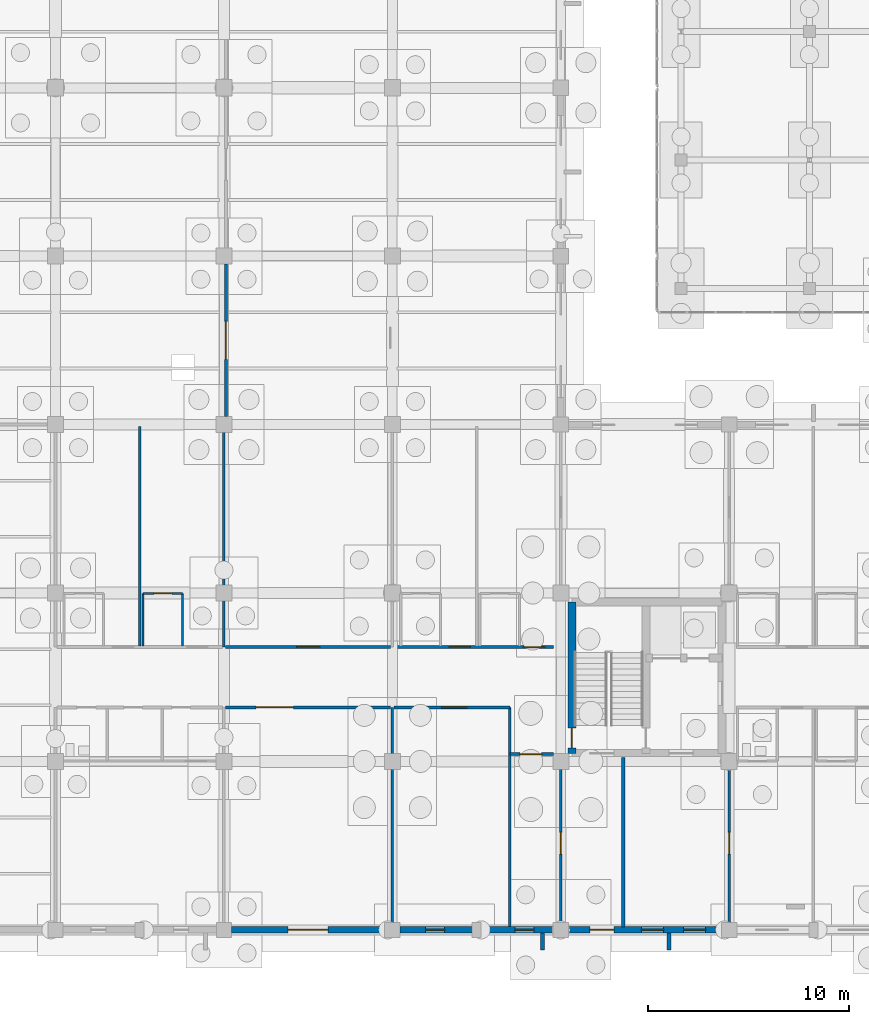
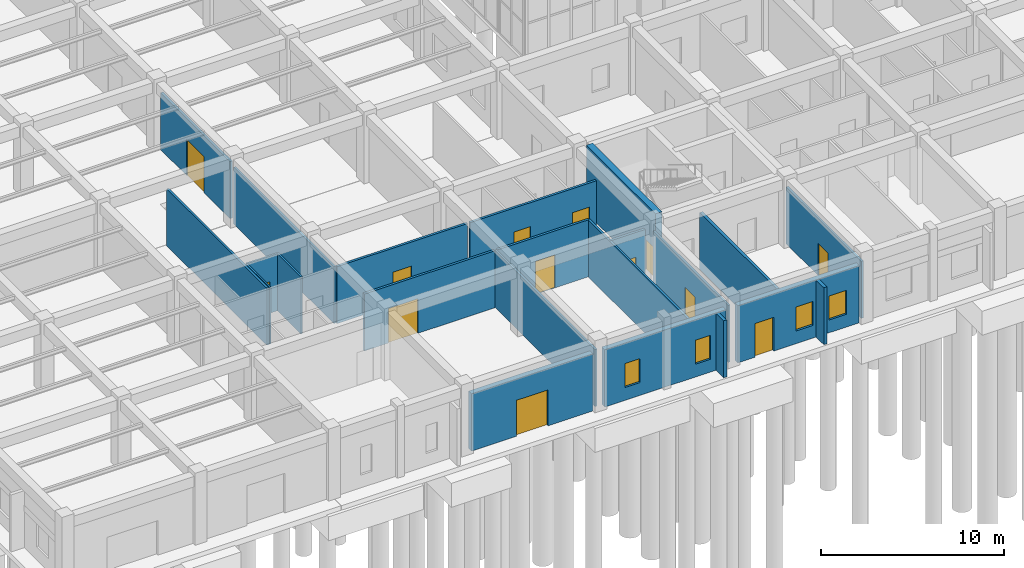
# One storey, part 150 of 192: 22 walls, 13 doors, 4 windows, 17 openings.
"""IFC4 building model written with IfcOpenShell, lengths in metres."""

from ifc_helpers import new_model, si_unit, direction, frame, frame_2d, origin, place, context, subcontext, project, spatial, rectangle, extrude, material, layer, layer_set, type_object, element, fill, save


model = new_model("IFC4")

# Units and contexts
model_context = context("Model", 3, precision=1e-05, world=origin(), true_north=direction((0.0, 1.0)))
body_context = subcontext(model_context, "Body", "Model", "MODEL_VIEW")
ifc_project = project(units=[si_unit("LENGTHUNIT", "METRE"), si_unit("AREAUNIT", "SQUARE_METRE"), si_unit("VOLUMEUNIT", "CUBIC_METRE"), si_unit("PLANEANGLEUNIT", "RADIAN"), si_unit("MASSUNIT", "GRAM", prefix="KILO")], contexts=[model_context])

# Site, building, storey
site_placement = place(None, origin())
site = spatial("IfcSite", under=ifc_project, at=site_placement, CompositionType="ELEMENT")
building_placement = place(site_placement, origin())
building = spatial("IfcBuilding", under=site, at=building_placement, Name="Trelvath General Hospital", CompositionType="ELEMENT")
storey_placement = place(building_placement, origin())
storey = spatial("IfcBuildingStorey", under=building, at=storey_placement, Name="L00", CompositionType="ELEMENT", Elevation=0.0)

# Walls
ifc_material_1 = material(Name="Precast concrete C40/50", Category="concrete")
ifc_layer_1 = layer(ifc_material_1, 0.199951171875)
ifc_layer_set_1 = layer_set([ifc_layer_1], Name="Precast concrete C40/50")
wall_type_1 = type_object("IfcWallType", Name="BriseSoleilRib 200", PredefinedType="ELEMENTEDWALL", material=ifc_layer_set_1)
for number, where, z_axis, x_axis, name in (
    (1, (41.089599609375, -0.14990234375, 0.0), (0.0, 0.0, 1.0), (0.0, -1.0, 0.0), "Precast Concrete Brise-Soleil Rib Fin L00-14"),
    (2, (47.405029296875, -0.14990234375, 0.0), (0.0, 0.0, 1.0), (0.0, -1.0, 0.0), "Precast Concrete Brise-Soleil Rib Fin L00-22"),
):
    element("IfcWall", number, at=place(storey_placement, frame(where, z_axis=z_axis, x_axis=x_axis)), inside=storey, type_object=wall_type_1, Name=name, PredefinedType="ELEMENTEDWALL", context=body_context, shape_type="SweptSolid", body=[
        extrude(rectangle(XDim=0.85009765625, YDim=0.199951171875, at=frame_2d((0.425048828125, 0.0))), origin(), (0.0, 0.0, 1.0), 3.800048828125),
    ])

# Wall, opening, door
ifc_material_2 = material(Name="Gypsum acoustic steel-stud partition", Category="steel")
ifc_layer_2 = layer(ifc_material_2, 0.14990234375)
ifc_layer_set_2 = layer_set([ifc_layer_2], Name="Gypsum acoustic steel-stud partition")
wall_type_2 = type_object("IfcWallType", Name="ClinicalPartition 150", PredefinedType="PARTITIONING", material=ifc_layer_set_2)
wall_1_placement = place(storey_placement, frame((25.280029296875, 11.10009765625, 0.0), z_axis=(0.0, 0.0, 1.0), x_axis=(1.0, 0.0, 0.0)))
wall_1 = element("IfcWall", 3, at=wall_1_placement, inside=storey, type_object=wall_type_2, Name="Corridor Partition L00-25", PredefinedType="PARTITIONING", context=body_context, shape_type="SweptSolid", body=[
    extrude(rectangle(XDim=8.239990234375, YDim=0.14990234375, at=frame_2d((4.1201171875, 0.0))), origin(), (0.0, 0.0, 1.0), 3.800048828125),
])
opening_1_placement = place(wall_1_placement, frame((1.530029296875, 0.0, 0.0)))
opening_1 = element("IfcOpeningElement", 4, at=opening_1_placement, cuts=wall_1, Name="Opening D-0-0293", PredefinedType="OPENING", context=body_context, shape_type="SweptSolid", body=[
    extrude(rectangle(XDim=1.85009765625, YDim=2.300048828125, at=frame_2d((0.925048828125, 1.14990234375))), frame((0.0, 0.0849609375, 0.0), z_axis=(0.0, -1.0, 0.0), x_axis=(1.0, 0.0, 0.0)), (0.0, 0.0, 1.0), 0.169921875),
])
ifc_material_3 = material(Name="Fire-rated steel cross-corridor pair", Category="steel")
door_type_1 = type_object("IfcDoorType", Name="Door SmokeCross 1850x2300", OperationType="DOUBLE_SWING_LEFT", PredefinedType="DOOR", material=ifc_material_3)
door_1_placement = place(opening_1_placement, origin())
door_1 = element("IfcDoor", 5, at=door_1_placement, inside=storey, type_object=door_type_1, Name="Waiting Lounge Door L00-293", OperationType="DOUBLE_SWING_LEFT", OverallHeight=2.300048828125, OverallWidth=1.85009765625, PredefinedType="DOOR", context=body_context, shape_type="SweptSolid", body=[
    extrude(rectangle(XDim=1.85009765625, YDim=2.300048828125, at=frame_2d((0.925048828125, 1.14990234375))), frame((0.0, 0.02490234375, 0.0), z_axis=(0.0, -1.0, 0.0), x_axis=(1.0, 0.0, 0.0)), (0.0, 0.0, 1.0), 0.050048828125),
])
fill(opening_1, door_1)

wall_2_placement = place(storey_placement, frame((33.52001953125, 14.10009765625, 0.0), z_axis=(0.0, 0.0, 1.0), x_axis=(-1.0, 0.0, 0.0)))
wall_2 = element("IfcWall", 6, at=wall_2_placement, inside=storey, type_object=wall_type_2, Name="Corridor Partition N L00-26", PredefinedType="PARTITIONING", context=body_context, shape_type="SweptSolid", body=[
    extrude(rectangle(XDim=8.239990234375, YDim=0.14990234375, at=frame_2d((4.1201171875, 0.0))), origin(), (0.0, 0.0, 1.0), 3.800048828125),
])
opening_2_placement = place(wall_2_placement, frame((3.544921875, 0.0, 0.0)))
opening_2 = element("IfcOpeningElement", 7, at=opening_2_placement, cuts=wall_2, Name="Opening D-0-0294", PredefinedType="OPENING", context=body_context, shape_type="SweptSolid", body=[
    extrude(rectangle(XDim=1.14990234375, YDim=2.199951171875, at=frame_2d((0.574951171875, 1.10009765625))), frame((0.0, 0.0849609375, 0.0), z_axis=(0.0, -1.0, 0.0), x_axis=(1.0, 0.0, 0.0)), (0.0, 0.0, 1.0), 0.169921875),
])
ifc_material_4 = material(Name="Phenolic cleanroom door")
door_type_2 = type_object("IfcDoorType", Name="Door Pharmacy 1150x2200", OperationType="NOTDEFINED", PredefinedType="DOOR", material=ifc_material_4)
door_2_placement = place(opening_2_placement, origin())
door_2 = element("IfcDoor", 8, at=door_2_placement, inside=storey, type_object=door_type_2, Name="Clinical Room Door L00-294", OperationType="SINGLE_SWING_RIGHT", OverallHeight=2.199951171875, OverallWidth=1.14990234375, PredefinedType="DOOR", context=body_context, shape_type="SweptSolid", body=[
    extrude(rectangle(XDim=1.14990234375, YDim=2.199951171875, at=frame_2d((0.574951171875, 1.10009765625))), frame((0.0, 0.02490234375, 0.0), z_axis=(0.0, -1.0, 0.0), x_axis=(1.0, 0.0, 0.0)), (0.0, 0.0, 1.0), 0.050048828125),
])
fill(opening_2, door_2)

wall_3_placement = place(storey_placement, frame((33.679931640625, 11.10009765625, 0.0), z_axis=(0.0, 0.0, 1.0), x_axis=(1.0, 0.0, 0.0)))
wall_3 = element("IfcWall", 9, at=wall_3_placement, inside=storey, type_object=wall_type_2, Name="Nurse Station Partition L00-29", PredefinedType="PARTITIONING", context=body_context, shape_type="SweptSolid", body=[
    extrude(rectangle(XDim=5.780029296875, YDim=0.14990234375, at=frame_2d((2.89013671875, 0.0))), origin(), (0.0, 0.0, 1.0), 3.800048828125),
])
opening_3_placement = place(wall_3_placement, frame((2.3798828125, 0.0, 0.0)))
opening_3 = element("IfcOpeningElement", 10, at=opening_3_placement, cuts=wall_3, Name="Opening D-0-0295", PredefinedType="OPENING", context=body_context, shape_type="SweptSolid", body=[
    extrude(rectangle(XDim=1.25, YDim=2.199951171875, at=frame_2d((0.625, 1.10009765625))), frame((0.0, 0.0849609375, 0.0), z_axis=(0.0, -1.0, 0.0), x_axis=(1.0, 0.0, 0.0)), (0.0, 0.0, 1.0), 0.169921875),
])
ifc_material_5 = material(Name="Acoustic hospital timber leaf", Category="wood")
door_type_3 = type_object("IfcDoorType", Name="Door Treatment 1250x2200", OperationType="NOTDEFINED", PredefinedType="DOOR", material=ifc_material_5)
door_3_placement = place(opening_3_placement, origin())
door_3 = element("IfcDoor", 11, at=door_3_placement, inside=storey, type_object=door_type_3, Name="Nurse Station Door L00-295", OperationType="SINGLE_SWING_LEFT", OverallHeight=2.199951171875, OverallWidth=1.25, PredefinedType="DOOR", context=body_context, shape_type="SweptSolid", body=[
    extrude(rectangle(XDim=1.25, YDim=2.199951171875, at=frame_2d((0.625, 1.10009765625))), frame((0.0, 0.02490234375, 0.0), z_axis=(0.0, -1.0, 0.0), x_axis=(1.0, 0.0, 0.0)), (0.0, 0.0, 1.0), 0.050048828125),
])
fill(opening_3, door_3)

wall_4_placement = place(storey_placement, frame((39.4599609375, 8.760009765625, 0.0), z_axis=(0.0, 0.0, 1.0), x_axis=(1.0, 0.0, 0.0)))
wall_4 = element("IfcWall", 12, at=wall_4_placement, inside=storey, type_object=wall_type_2, Name="Clean Utility Partition L00-31", PredefinedType="PARTITIONING", context=body_context, shape_type="SweptSolid", body=[
    extrude(rectangle(XDim=2.179931640625, YDim=0.14990234375, at=frame_2d((1.08984375, 0.0))), origin(), (0.0, 0.0, 1.0), 3.800048828125),
])
opening_4_placement = place(wall_4_placement, frame((0.5, 0.0, 0.0)))
opening_4 = element("IfcOpeningElement", 13, at=opening_4_placement, cuts=wall_4, Name="Opening D-0-0296", PredefinedType="OPENING", context=body_context, shape_type="SweptSolid", body=[
    extrude(rectangle(XDim=1.080078125, YDim=2.14990234375, at=frame_2d((0.5400390625, 1.074951171875))), frame((0.0, 0.0849609375, 0.0), z_axis=(0.0, -1.0, 0.0), x_axis=(1.0, 0.0, 0.0)), (0.0, 0.0, 1.0), 0.169921875),
])
ifc_material_6 = material(Name="Acoustic hospital timber leaf", Category="wood")
door_type_4 = type_object("IfcDoorType", Name="Door CleanSupply 1080x2150", OperationType="NOTDEFINED", PredefinedType="DOOR", material=ifc_material_6)
door_4_placement = place(opening_4_placement, origin())
door_4 = element("IfcDoor", 14, at=door_4_placement, inside=storey, type_object=door_type_4, Name="Clean Utility Door L00-296", OperationType="SINGLE_SWING_RIGHT", OverallHeight=2.14990234375, OverallWidth=1.080078125, PredefinedType="DOOR", context=body_context, shape_type="SweptSolid", body=[
    extrude(rectangle(XDim=1.080078125, YDim=2.14990234375, at=frame_2d((0.5400390625, 1.074951171875))), frame((0.0, 0.02490234375, 0.0), z_axis=(0.0, -1.0, 0.0), x_axis=(1.0, 0.0, 0.0)), (0.0, 0.0, 1.0), 0.050048828125),
])
fill(opening_4, door_4)

# Wall, openings, doors
wall_5_placement = place(storey_placement, frame((41.639892578125, 14.10009765625, 0.0), z_axis=(0.0, 0.0, 1.0), x_axis=(-1.0, 0.0, 0.0)))
wall_5 = element("IfcWall", 15, at=wall_5_placement, inside=storey, type_object=wall_type_2, Name="Corridor Partition N L00-32", PredefinedType="PARTITIONING", context=body_context, shape_type="SweptSolid", body=[
    extrude(rectangle(XDim=7.9599609375, YDim=0.14990234375, at=frame_2d((3.97998046875, 0.0))), origin(), (0.0, 0.0, 1.0), 3.800048828125),
])
opening_5_placement = place(wall_5_placement, frame((0.449951171875, 0.0, 0.0)))
opening_5 = element("IfcOpeningElement", 16, at=opening_5_placement, cuts=wall_5, Name="Opening D-0-0297", PredefinedType="OPENING", context=body_context, shape_type="SweptSolid", body=[
    extrude(rectangle(XDim=1.050048828125, YDim=2.199951171875, at=frame_2d((0.52490234375, 1.10009765625))), frame((0.0, 0.0849609375, 0.0), z_axis=(0.0, -1.0, 0.0), x_axis=(1.0, 0.0, 0.0)), (0.0, 0.0, 1.0), 0.169921875),
])
opening_6_placement = place(wall_5_placement, frame((4.14990234375, 0.0, 0.0)))
opening_6 = element("IfcOpeningElement", 17, at=opening_6_placement, cuts=wall_5, Name="Opening D-0-0298", PredefinedType="OPENING", context=body_context, shape_type="SweptSolid", body=[
    extrude(rectangle(XDim=1.050048828125, YDim=2.199951171875, at=frame_2d((0.52490234375, 1.10009765625))), frame((0.0, 0.0849609375, 0.0), z_axis=(0.0, -1.0, 0.0), x_axis=(1.0, 0.0, 0.0)), (0.0, 0.0, 1.0), 0.169921875),
])
ifc_material_7 = material(Name="Acoustic hospital timber leaf", Category="wood")
door_type_5 = type_object("IfcDoorType", Name="Door Consult 1050x2200", OperationType="NOTDEFINED", PredefinedType="DOOR", material=ifc_material_7)
door_5_placement = place(opening_5_placement, origin())
door_5 = element("IfcDoor", 18, at=door_5_placement, inside=storey, type_object=door_type_5, Name="Patient Room Door N L00-297", OperationType="SINGLE_SWING_LEFT", OverallHeight=2.199951171875, OverallWidth=1.050048828125, PredefinedType="DOOR", context=body_context, shape_type="SweptSolid", body=[
    extrude(rectangle(XDim=1.050048828125, YDim=2.199951171875, at=frame_2d((0.52490234375, 1.10009765625))), frame((0.0, 0.02490234375, 0.0), z_axis=(0.0, -1.0, 0.0), x_axis=(1.0, 0.0, 0.0)), (0.0, 0.0, 1.0), 0.050048828125),
])
fill(opening_5, door_5)
door_6_placement = place(opening_6_placement, origin())
door_6 = element("IfcDoor", 19, at=door_6_placement, inside=storey, type_object=door_type_5, Name="Patient Room Door N L00-298", OperationType="SINGLE_SWING_LEFT", OverallHeight=2.199951171875, OverallWidth=1.050048828125, PredefinedType="DOOR", context=body_context, shape_type="SweptSolid", body=[
    extrude(rectangle(XDim=1.050048828125, YDim=2.199951171875, at=frame_2d((0.52490234375, 1.10009765625))), frame((0.0, 0.02490234375, 0.0), z_axis=(0.0, -1.0, 0.0), x_axis=(1.0, 0.0, 0.0)), (0.0, 0.0, 1.0), 0.050048828125),
])
fill(opening_6, door_6)

# Wall, opening, door
wall_6_placement = place(storey_placement, frame((25.300048828125, 25.60009765625, 0.0), z_axis=(0.0, 0.0, 1.0), x_axis=(0.0, 1.0, 0.0)))
wall_6 = element("IfcWall", 20, at=wall_6_placement, inside=storey, type_object=wall_type_2, Name="West Outpatient Hall Partition L00-320", PredefinedType="PARTITIONING", context=body_context, shape_type="SweptSolid", body=[
    extrude(rectangle(XDim=7.599853515625, YDim=0.14990234375, at=frame_2d((3.7998046875, 0.0))), origin(), (0.0, 0.0, 1.0), 3.800048828125),
])
opening_7_placement = place(wall_6_placement, frame((2.85009765625, 0.0, 0.0)))
opening_7 = element("IfcOpeningElement", 21, at=opening_7_placement, cuts=wall_6, Name="Opening D-0-0439", PredefinedType="OPENING", context=body_context, shape_type="SweptSolid", body=[
    extrude(rectangle(XDim=1.89990234375, YDim=2.39990234375, at=frame_2d((0.949951171875, 1.199951171875))), frame((0.0, 0.0849609375, 0.0), z_axis=(0.0, -1.0, 0.0), x_axis=(1.0, 0.0, 0.0)), (0.0, 0.0, 1.0), 0.169921875),
])
ifc_material_8 = material(Name="Thermally broken glazed aluminium pair", Category="aluminium")
door_type_6 = type_object("IfcDoorType", Name="Door BridgeEntry 1900x2400", OperationType="DOUBLE_SWING_LEFT", PredefinedType="DOOR", material=ifc_material_8)
door_7_placement = place(opening_7_placement, origin())
door_7 = element("IfcDoor", 22, at=door_7_placement, inside=storey, type_object=door_type_6, Name="West Outpatient Hall Door L00-439", OperationType="DOUBLE_SWING_LEFT", OverallHeight=2.39990234375, OverallWidth=1.89990234375, PredefinedType="DOOR", context=body_context, shape_type="SweptSolid", body=[
    extrude(rectangle(XDim=1.89990234375, YDim=2.39990234375, at=frame_2d((0.949951171875, 1.199951171875))), frame((0.0, 0.02490234375, 0.0), z_axis=(0.0, -1.0, 0.0), x_axis=(1.0, 0.0, 0.0)), (0.0, 0.0, 1.0), 0.050048828125),
])
fill(opening_7, door_7)

ifc_material_9 = material(Name="Concrete C40/50", Category="concrete")
ifc_layer_3 = layer(ifc_material_9, 0.39990234375)
ifc_layer_set_3 = layer_set([ifc_layer_3], Name="Concrete C40/50")
wall_type_3 = type_object("IfcWallType", Name="CoreShearWall 400", PredefinedType="SHEAR", material=ifc_layer_set_3)
wall_7_placement = place(storey_placement, frame((42.550048828125, 8.800048828125, 0.0), z_axis=(0.0, 0.0, 1.0), x_axis=(0.0, 1.0, 0.0)))
wall_7 = element("IfcWall", 23, at=wall_7_placement, inside=storey, type_object=wall_type_3, Name="Core Shear Wall C4 W L00", PredefinedType="SHEAR", context=body_context, shape_type="SweptSolid", body=[
    extrude(rectangle(XDim=7.550048828125, YDim=0.39990234375, at=frame_2d((3.77490234375, 0.0))), origin(), (0.0, 0.0, 1.0), 4.52001953125),
])
opening_8_placement = place(wall_7_placement, frame((0.280029296875, 0.0, 0.0)))
opening_8 = element("IfcOpeningElement", 24, at=opening_8_placement, cuts=wall_7, Name="Opening FD-SW40", PredefinedType="OPENING", context=body_context, shape_type="SweptSolid", body=[
    extrude(rectangle(XDim=1.0, YDim=2.14990234375, at=frame_2d((0.5, 1.074951171875))), frame((0.0, 0.2099609375, 0.0), z_axis=(0.0, -1.0, 0.0), x_axis=(1.0, 0.0, 0.0)), (0.0, 0.0, 1.0), 0.419921875),
])
ifc_material_10 = material(Name="Fire-rated steel door", Category="steel")
door_type_7 = type_object("IfcDoorType", Name="Door FireStair 1100x2150", OperationType="NOTDEFINED", PredefinedType="DOOR", material=ifc_material_10)
door_8_placement = place(opening_8_placement, origin())
door_8 = element("IfcDoor", 25, at=door_8_placement, inside=storey, type_object=door_type_7, Name="West Corridor Stair Door ST4 L00", OperationType="SINGLE_SWING_RIGHT", OverallHeight=2.14990234375, OverallWidth=1.0, PredefinedType="DOOR", context=body_context, shape_type="SweptSolid", body=[
    extrude(rectangle(XDim=1.0, YDim=2.14990234375, at=frame_2d((0.5, 1.074951171875))), frame((0.0, 0.02490234375, 0.0), z_axis=(0.0, -1.0, 0.0), x_axis=(1.0, 0.0, 0.0)), (0.0, 0.0, 1.0), 0.050048828125),
])
fill(opening_8, door_8)

# Walls
ifc_material_11 = material(Name="Moisture-resistant tile partition")
ifc_layer_4 = layer(ifc_material_11, 0.110107421875)
ifc_layer_set_4 = layer_set([ifc_layer_4], Name="Moisture-resistant tile partition")
wall_type_4 = type_object("IfcWallType", Name="EnSuiteWetWall 110", PredefinedType="PARTITIONING", material=ifc_layer_set_4)
for number, where, z_axis, x_axis, name in (
    (26, (21.159912109375, 14.169921875, 0.0), (0.0, 0.0, 1.0), (0.0, 1.0, 0.0), "En-Suite W Wall N L00-20"),
    (27, (23.139892578125, 14.169921875, 0.0), (0.0, 0.0, 1.0), (0.0, 1.0, 0.0), "En-Suite E Wall N L00-21"),
):
    element("IfcWall", number, at=place(storey_placement, frame(where, z_axis=z_axis, x_axis=x_axis)), inside=storey, type_object=wall_type_4, Name=name, PredefinedType="PARTITIONING", context=body_context, shape_type="SweptSolid", body=[
        extrude(rectangle(XDim=2.610107421875, YDim=0.110107421875, at=frame_2d((1.30517578125, 0.0))), origin(), (0.0, 0.0, 1.0), 3.800048828125),
    ])

# Wall, opening, door
wall_8_placement = place(storey_placement, frame((21.159912109375, 16.780029296875, 0.0), z_axis=(0.0, 0.0, 1.0), x_axis=(1.0, 0.0, 0.0)))
wall_8 = element("IfcWall", 28, at=wall_8_placement, inside=storey, type_object=wall_type_4, Name="En-Suite Bathroom N Partition L00-22", PredefinedType="PARTITIONING", context=body_context, shape_type="SweptSolid", body=[
    extrude(rectangle(XDim=1.97998046875, YDim=0.110107421875, at=frame_2d((0.989990234375, 0.0))), origin(), (0.0, 0.0, 1.0), 3.800048828125),
])
opening_9_placement = place(wall_8_placement, frame((0.5400390625, 0.0, 0.0)))
opening_9 = element("IfcOpeningElement", 29, at=opening_9_placement, cuts=wall_8, Name="Opening D-0-0292", PredefinedType="OPENING", context=body_context, shape_type="SweptSolid", body=[
    extrude(rectangle(XDim=0.89990234375, YDim=2.10009765625, at=frame_2d((0.449951171875, 1.050048828125))), frame((0.0, 0.06494140625, 0.0), z_axis=(0.0, -1.0, 0.0), x_axis=(1.0, 0.0, 0.0)), (0.0, 0.0, 1.0), 0.130126953125),
])
ifc_material_12 = material(Name="Moisture-sealed timber leaf", Category="wood")
door_type_8 = type_object("IfcDoorType", Name="Door EnSuite 900x2100", OperationType="NOTDEFINED", PredefinedType="DOOR", material=ifc_material_12)
door_9_placement = place(opening_9_placement, origin())
door_9 = element("IfcDoor", 30, at=door_9_placement, inside=storey, type_object=door_type_8, Name="En-Suite Bathroom N Door L00-292", OperationType="SINGLE_SWING_LEFT", OverallHeight=2.10009765625, OverallWidth=0.89990234375, PredefinedType="DOOR", context=body_context, shape_type="SweptSolid", body=[
    extrude(rectangle(XDim=0.89990234375, YDim=2.10009765625, at=frame_2d((0.449951171875, 1.050048828125))), frame((0.0, 0.02490234375, 0.0), z_axis=(0.0, -1.0, 0.0), x_axis=(1.0, 0.0, 0.0)), (0.0, 0.0, 1.0), 0.050048828125),
])
fill(opening_9, door_9)

ifc_material_13 = material(Name="Concrete C35/45", Category="concrete")
ifc_layer_5 = layer(ifc_material_13, 0.320068359375)
ifc_layer_set_5 = layer_set([ifc_layer_5], Name="Concrete C35/45")
wall_type_5 = type_object("IfcWallType", Name="ExtThermalWall 320", PredefinedType="SOLIDWALL", material=ifc_layer_set_5)
wall_9_placement = place(storey_placement, frame((33.22509765625, 0.0, 0.0), z_axis=(0.0, 0.0, 1.0), x_axis=(-1.0, 0.0, 0.0)))
wall_9 = element("IfcWall", 31, at=wall_9_placement, inside=storey, type_object=wall_type_5, Name="Exterior Concrete Wall L00-21", PredefinedType="SOLIDWALL", context=body_context, shape_type="SweptSolid", body=[
    extrude(rectangle(XDim=7.650146484375, YDim=0.320068359375, at=frame_2d((3.8251953125, 0.0))), origin(), (0.0, 0.0, 1.0), 3.820068359375),
])
opening_10_placement = place(wall_9_placement, frame((2.824951171875, 0.0, 0.0)))
opening_10 = element("IfcOpeningElement", 32, at=opening_10_placement, cuts=wall_9, Name="Opening E01", PredefinedType="OPENING", context=body_context, shape_type="SweptSolid", body=[
    extrude(rectangle(XDim=2.0, YDim=2.39990234375, at=frame_2d((1.0, 1.199951171875))), frame((0.0, 0.169921875, 0.0), z_axis=(0.0, -1.0, 0.0), x_axis=(1.0, 0.0, 0.0)), (0.0, 0.0, 1.0), 0.340087890625),
])
ifc_material_14 = material(Name="Thermally broken glazed exit pair")
door_type_9 = type_object("IfcDoorType", Name="Door GradeExit 2000x2400", OperationType="DOUBLE_SWING_LEFT", PredefinedType="DOOR", material=ifc_material_14)
door_10_placement = place(opening_10_placement, origin())
door_10 = element("IfcDoor", 33, at=door_10_placement, inside=storey, type_object=door_type_9, Name="Pedestrian Final Exit Door E01", OperationType="DOUBLE_SWING_LEFT", OverallHeight=2.39990234375, OverallWidth=2.0, PredefinedType="DOOR", context=body_context, shape_type="SweptSolid", body=[
    extrude(rectangle(XDim=2.0, YDim=2.39990234375, at=frame_2d((1.0, 1.199951171875))), frame((0.0, 0.02490234375, 0.0), z_axis=(0.0, -1.0, 0.0), x_axis=(1.0, 0.0, 0.0)), (0.0, 0.0, 1.0), 0.050048828125),
])
fill(opening_10, door_10)

# Wall, openings, windows
wall_10_placement = place(storey_placement, frame((41.625, 0.0, 0.0), z_axis=(0.0, 0.0, 1.0), x_axis=(-1.0, 0.0, 0.0)))
wall_10 = element("IfcWall", 34, at=wall_10_placement, inside=storey, type_object=wall_type_5, Name="Exterior Concrete Wall L00-23", PredefinedType="SOLIDWALL", context=body_context, shape_type="SweptSolid", body=[
    extrude(rectangle(XDim=7.64990234375, YDim=0.320068359375, at=frame_2d((3.824951171875, 0.0))), origin(), (0.0, 0.0, 1.0), 3.820068359375),
])
opening_11_placement = place(wall_10_placement, frame((0.969970703125, 0.0, 0.85009765625)))
opening_11 = element("IfcOpeningElement", 35, at=opening_11_placement, cuts=wall_10, Name="Opening WN-0-027", PredefinedType="OPENING", context=body_context, shape_type="SweptSolid", body=[
    extrude(rectangle(XDim=0.949951171875, YDim=1.60009765625, at=frame_2d((0.47509765625, 0.800048828125))), frame((0.0, 0.169921875, 0.0), z_axis=(0.0, -1.0, 0.0), x_axis=(1.0, 0.0, 0.0)), (0.0, 0.0, 1.0), 0.340087890625),
])
opening_12_placement = place(wall_10_placement, frame((5.41552734375, 0.0, 0.85009765625)))
opening_12 = element("IfcOpeningElement", 36, at=opening_12_placement, cuts=wall_10, Name="Opening WN-0-028", PredefinedType="OPENING", context=body_context, shape_type="SweptSolid", body=[
    extrude(rectangle(XDim=0.949951171875, YDim=1.60009765625, at=frame_2d((0.47509765625, 0.800048828125))), frame((0.0, 0.169921875, 0.0), z_axis=(0.0, -1.0, 0.0), x_axis=(1.0, 0.0, 0.0)), (0.0, 0.0, 1.0), 0.340087890625),
])
ifc_material_15 = material(Name="Low-E laminated glass", Category="glass")
window_type_1 = type_object("IfcWindowType", Name="Window DeepReveal 950x1600", PartitioningType="SINGLE_PANEL", PredefinedType="WINDOW", material=ifc_material_15)
window_1_placement = place(opening_11_placement, origin())
window_1 = element("IfcWindow", 37, at=window_1_placement, inside=storey, type_object=window_type_1, Name="Solar Reveal Window L00-27", OverallHeight=1.60009765625, OverallWidth=0.949951171875, PartitioningType="SINGLE_PANEL", PredefinedType="WINDOW", context=body_context, shape_type="SweptSolid", body=[
    extrude(rectangle(XDim=0.949951171875, YDim=1.60009765625, at=frame_2d((0.47509765625, 0.800048828125))), frame((0.0, 0.030029296875, 0.0), z_axis=(0.0, -1.0, 0.0), x_axis=(1.0, 0.0, 0.0)), (0.0, 0.0, 1.0), 0.06005859375),
])
fill(opening_11, window_1)
window_2_placement = place(opening_12_placement, origin())
window_2 = element("IfcWindow", 38, at=window_2_placement, inside=storey, type_object=window_type_1, Name="Solar Reveal Window L00-28", OverallHeight=1.60009765625, OverallWidth=0.949951171875, PartitioningType="SINGLE_PANEL", PredefinedType="WINDOW", context=body_context, shape_type="SweptSolid", body=[
    extrude(rectangle(XDim=0.949951171875, YDim=1.60009765625, at=frame_2d((0.47509765625, 0.800048828125))), frame((0.0, 0.030029296875, 0.0), z_axis=(0.0, -1.0, 0.0), x_axis=(1.0, 0.0, 0.0)), (0.0, 0.0, 1.0), 0.06005859375),
])
fill(opening_12, window_2)

# Wall, openings, door, windows
wall_11_placement = place(storey_placement, frame((50.02490234375, 0.0, 0.0), z_axis=(0.0, 0.0, 1.0), x_axis=(-1.0, 0.0, 0.0)))
wall_11 = element("IfcWall", 39, at=wall_11_placement, inside=storey, type_object=wall_type_5, Name="Exterior Concrete Wall L00-33", PredefinedType="SOLIDWALL", context=body_context, shape_type="SweptSolid", body=[
    extrude(rectangle(XDim=7.64990234375, YDim=0.320068359375, at=frame_2d((3.824951171875, 0.0))), origin(), (0.0, 0.0, 1.0), 3.820068359375),
])
opening_13_placement = place(wall_11_placement, frame((5.375, 0.0, 0.0)))
opening_13 = element("IfcOpeningElement", 40, at=opening_13_placement, cuts=wall_11, Name="Opening E-ST4", PredefinedType="OPENING", context=body_context, shape_type="SweptSolid", body=[
    extrude(rectangle(XDim=1.199951171875, YDim=2.25, at=frame_2d((0.60009765625, 1.125))), frame((0.0, 0.169921875, 0.0), z_axis=(0.0, -1.0, 0.0), x_axis=(1.0, 0.0, 0.0)), (0.0, 0.0, 1.0), 0.340087890625),
])
opening_14_placement = place(wall_11_placement, frame((0.800048828125, 0.0, 0.85009765625)))
opening_14 = element("IfcOpeningElement", 41, at=opening_14_placement, cuts=wall_11, Name="Opening WN-0-047", PredefinedType="OPENING", context=body_context, shape_type="SweptSolid", body=[
    extrude(rectangle(XDim=1.10009765625, YDim=1.60009765625, at=frame_2d((0.550048828125, 0.800048828125))), frame((0.0, 0.169921875, 0.0), z_axis=(0.0, -1.0, 0.0), x_axis=(1.0, 0.0, 0.0)), (0.0, 0.0, 1.0), 0.340087890625),
])
opening_15_placement = place(wall_11_placement, frame((2.89990234375, 0.0, 0.85009765625)))
opening_15 = element("IfcOpeningElement", 42, at=opening_15_placement, cuts=wall_11, Name="Opening WN-0-048", PredefinedType="OPENING", context=body_context, shape_type="SweptSolid", body=[
    extrude(rectangle(XDim=1.10009765625, YDim=1.60009765625, at=frame_2d((0.550048828125, 0.800048828125))), frame((0.0, 0.169921875, 0.0), z_axis=(0.0, -1.0, 0.0), x_axis=(1.0, 0.0, 0.0)), (0.0, 0.0, 1.0), 0.340087890625),
])
ifc_material_16 = material(Name="Thermally broken glazed aluminium door", Category="aluminium")
door_type_10 = type_object("IfcDoorType", Name="Door Terrace 1200x2250", OperationType="NOTDEFINED", PredefinedType="DOOR", material=ifc_material_16)
door_11_placement = place(opening_13_placement, origin())
door_11 = element("IfcDoor", 43, at=door_11_placement, inside=storey, type_object=door_type_10, Name="Pedestrian Final Exit Discharge Door E-ST4", OperationType="SINGLE_SWING_LEFT", OverallHeight=2.25, OverallWidth=1.199951171875, PredefinedType="DOOR", context=body_context, shape_type="SweptSolid", body=[
    extrude(rectangle(XDim=1.199951171875, YDim=2.25, at=frame_2d((0.60009765625, 1.125))), frame((0.0, 0.02490234375, 0.0), z_axis=(0.0, -1.0, 0.0), x_axis=(1.0, 0.0, 0.0)), (0.0, 0.0, 1.0), 0.050048828125),
])
fill(opening_13, door_11)
ifc_material_17 = material(Name="Low-E laminated glass", Category="glass")
window_type_2 = type_object("IfcWindowType", Name="Window DeepReveal 1100x1600", PartitioningType="SINGLE_PANEL", PredefinedType="WINDOW", material=ifc_material_17)
window_3_placement = place(opening_14_placement, origin())
window_3 = element("IfcWindow", 44, at=window_3_placement, inside=storey, type_object=window_type_2, Name="Solar Reveal Window L00-47", OverallHeight=1.60009765625, OverallWidth=1.10009765625, PartitioningType="SINGLE_PANEL", PredefinedType="WINDOW", context=body_context, shape_type="SweptSolid", body=[
    extrude(rectangle(XDim=1.10009765625, YDim=1.60009765625, at=frame_2d((0.550048828125, 0.800048828125))), frame((0.0, 0.030029296875, 0.0), z_axis=(0.0, -1.0, 0.0), x_axis=(1.0, 0.0, 0.0)), (0.0, 0.0, 1.0), 0.06005859375),
])
fill(opening_14, window_3)
window_4_placement = place(opening_15_placement, origin())
window_4 = element("IfcWindow", 45, at=window_4_placement, inside=storey, type_object=window_type_2, Name="Solar Reveal Window L00-48", OverallHeight=1.60009765625, OverallWidth=1.10009765625, PartitioningType="SINGLE_PANEL", PredefinedType="WINDOW", context=body_context, shape_type="SweptSolid", body=[
    extrude(rectangle(XDim=1.10009765625, YDim=1.60009765625, at=frame_2d((0.550048828125, 0.800048828125))), frame((0.0, 0.030029296875, 0.0), z_axis=(0.0, -1.0, 0.0), x_axis=(1.0, 0.0, 0.0)), (0.0, 0.0, 1.0), 0.06005859375),
])
fill(opening_15, window_4)

# Walls
ifc_material_18 = material(Name="Masonry fire blockwork", Category="masonry")
ifc_layer_6 = layer(ifc_material_18, 0.179931640625)
ifc_layer_set_6 = layer_set([ifc_layer_6], Name="Masonry fire blockwork")
wall_type_6 = type_object("IfcWallType", Name="SmokeBarrierWall 180", PredefinedType="PARTITIONING", material=ifc_layer_set_6)
wall_12_placement = place(storey_placement, frame((45.110107421875, 0.139892578125, 0.0), z_axis=(0.0, 0.0, 1.0), x_axis=(0.0, 1.0, 0.0)))
element("IfcWall", 46, at=wall_12_placement, inside=storey, type_object=wall_type_6, Name="Exit Passage Fire Wall ST4 L00", PredefinedType="PARTITIONING", context=body_context, shape_type="SweptSolid", body=[
    extrude(rectangle(XDim=8.4501953125, YDim=0.179931640625, at=frame_2d((4.22509765625, 0.0))), origin(), (0.0, 0.0, 1.0), 3.800048828125),
])
ifc_material_19 = material(Name="Gypsum acoustic steel-stud partition", Category="steel")
ifc_layer_7 = layer(ifc_material_19, 0.1298828125)
ifc_layer_set_7 = layer_set([ifc_layer_7], Name="Gypsum acoustic steel-stud partition")
wall_type_7 = type_object("IfcWallType", Name="WardPartition 130", PredefinedType="PARTITIONING", material=ifc_layer_set_7)
wall_13_placement = place(storey_placement, frame((21.0, 14.169921875, 0.0), z_axis=(0.0, 0.0, 1.0), x_axis=(0.0, 1.0, 0.0)))
element("IfcWall", 47, at=wall_13_placement, inside=storey, type_object=wall_type_7, Name="Room Dividing Partition N L00-16", PredefinedType="PARTITIONING", context=body_context, shape_type="SweptSolid", body=[
    extrude(rectangle(XDim=10.93017578125, YDim=0.1298828125, at=frame_2d((5.465087890625, 0.0))), origin(), (0.0, 0.0, 1.0), 3.800048828125),
])
wall_14_placement = place(storey_placement, frame((25.199951171875, 14.1201171875, 0.0), z_axis=(0.0, 0.0, 1.0), x_axis=(0.0, 1.0, 0.0)))
element("IfcWall", 48, at=wall_14_placement, inside=storey, type_object=wall_type_7, Name="Inter-Bay Ward Partition N L00-24", PredefinedType="PARTITIONING", context=body_context, shape_type="SweptSolid", body=[
    extrude(rectangle(XDim=10.93994140625, YDim=0.1298828125, at=frame_2d((5.469970703125, 0.0))), origin(), (0.0, 0.0, 1.0), 3.800048828125),
])
for number, where, z_axis, x_axis, name in (
    (49, (33.60009765625, 0.139892578125, 0.0), (0.0, 0.0, 1.0), (0.0, 1.0, 0.0), "Inter-Bay Ward Partition S L00-27"),
    (50, (39.4599609375, 0.159912109375, 0.0), (0.0, 0.0, 1.0), (0.0, 1.0, 0.0), "Nurse Alcove Partition L00-30"),
):
    element("IfcWall", number, at=place(storey_placement, frame(where, z_axis=z_axis, x_axis=x_axis)), inside=storey, type_object=wall_type_7, Name=name, PredefinedType="PARTITIONING", context=body_context, shape_type="SweptSolid", body=[
        extrude(rectangle(XDim=10.940185546875, YDim=0.1298828125, at=frame_2d((5.47021484375, 0.0))), origin(), (0.0, 0.0, 1.0), 3.800048828125),
    ])

# Wall, opening, door
wall_15_placement = place(storey_placement, frame((42.0, 0.139892578125, 0.0), z_axis=(0.0, 0.0, 1.0), x_axis=(0.0, 1.0, 0.0)))
wall_15 = element("IfcWall", 51, at=wall_15_placement, inside=storey, type_object=wall_type_7, Name="Inter-Bay Ward Partition S L00-40", PredefinedType="PARTITIONING", context=body_context, shape_type="SweptSolid", body=[
    extrude(rectangle(XDim=8.210205078125, YDim=0.1298828125, at=frame_2d((4.10498046875, 0.0))), origin(), (0.0, 0.0, 1.0), 3.800048828125),
])
opening_16_placement = place(wall_15_placement, frame((3.639892578125, 0.0, 0.0)))
opening_16 = element("IfcOpeningElement", 52, at=opening_16_placement, cuts=wall_15, Name="Opening D-0-0301", PredefinedType="OPENING", context=body_context, shape_type="SweptSolid", body=[
    extrude(rectangle(XDim=1.080078125, YDim=2.14990234375, at=frame_2d((0.5400390625, 1.074951171875))), frame((0.0, 0.074951171875, 0.0), z_axis=(0.0, -1.0, 0.0), x_axis=(1.0, 0.0, 0.0)), (0.0, 0.0, 1.0), 0.14990234375),
])
door_12_placement = place(opening_16_placement, origin())
door_12 = element("IfcDoor", 53, at=door_12_placement, inside=storey, type_object=door_type_4, Name="Clean Supply Connecting Door L00-301", OperationType="SINGLE_SWING_RIGHT", OverallHeight=2.14990234375, OverallWidth=1.080078125, PredefinedType="DOOR", context=body_context, shape_type="SweptSolid", body=[
    extrude(rectangle(XDim=1.080078125, YDim=2.14990234375, at=frame_2d((0.5400390625, 1.074951171875))), frame((0.0, 0.02490234375, 0.0), z_axis=(0.0, -1.0, 0.0), x_axis=(1.0, 0.0, 0.0)), (0.0, 0.0, 1.0), 0.050048828125),
])
fill(opening_16, door_12)

wall_16_placement = place(storey_placement, frame((50.39990234375, 0.139892578125, 0.0), z_axis=(0.0, 0.0, 1.0), x_axis=(0.0, 1.0, 0.0)))
wall_16 = element("IfcWall", 54, at=wall_16_placement, inside=storey, type_object=wall_type_7, Name="Inter-Bay Ward Partition S L00-43", PredefinedType="PARTITIONING", context=body_context, shape_type="SweptSolid", body=[
    extrude(rectangle(XDim=8.210205078125, YDim=0.1298828125, at=frame_2d((4.10498046875, 0.0))), origin(), (0.0, 0.0, 1.0), 3.800048828125),
])
opening_17_placement = place(wall_16_placement, frame((3.639892578125, 0.0, 0.0)))
opening_17 = element("IfcOpeningElement", 55, at=opening_17_placement, cuts=wall_16, Name="Opening D-0-0303", PredefinedType="OPENING", context=body_context, shape_type="SweptSolid", body=[
    extrude(rectangle(XDim=1.080078125, YDim=2.14990234375, at=frame_2d((0.5400390625, 1.074951171875))), frame((0.0, 0.074951171875, 0.0), z_axis=(0.0, -1.0, 0.0), x_axis=(1.0, 0.0, 0.0)), (0.0, 0.0, 1.0), 0.14990234375),
])
door_13_placement = place(opening_17_placement, origin())
door_13 = element("IfcDoor", 56, at=door_13_placement, inside=storey, type_object=door_type_4, Name="Clean Supply Connecting Door L00-303", OperationType="SINGLE_SWING_RIGHT", OverallHeight=2.14990234375, OverallWidth=1.080078125, PredefinedType="DOOR", context=body_context, shape_type="SweptSolid", body=[
    extrude(rectangle(XDim=1.080078125, YDim=2.14990234375, at=frame_2d((0.5400390625, 1.074951171875))), frame((0.0, 0.02490234375, 0.0), z_axis=(0.0, -1.0, 0.0), x_axis=(1.0, 0.0, 0.0)), (0.0, 0.0, 1.0), 0.050048828125),
])
fill(opening_17, door_13)

save(model, "model.ifc")
